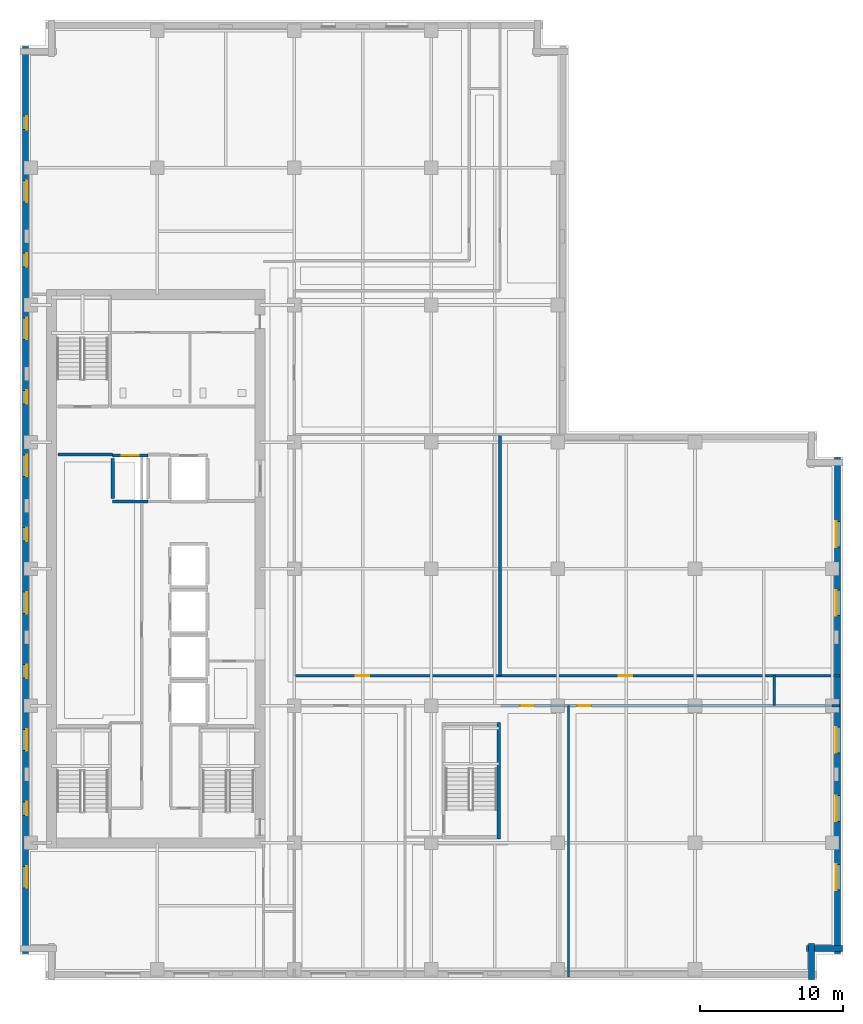
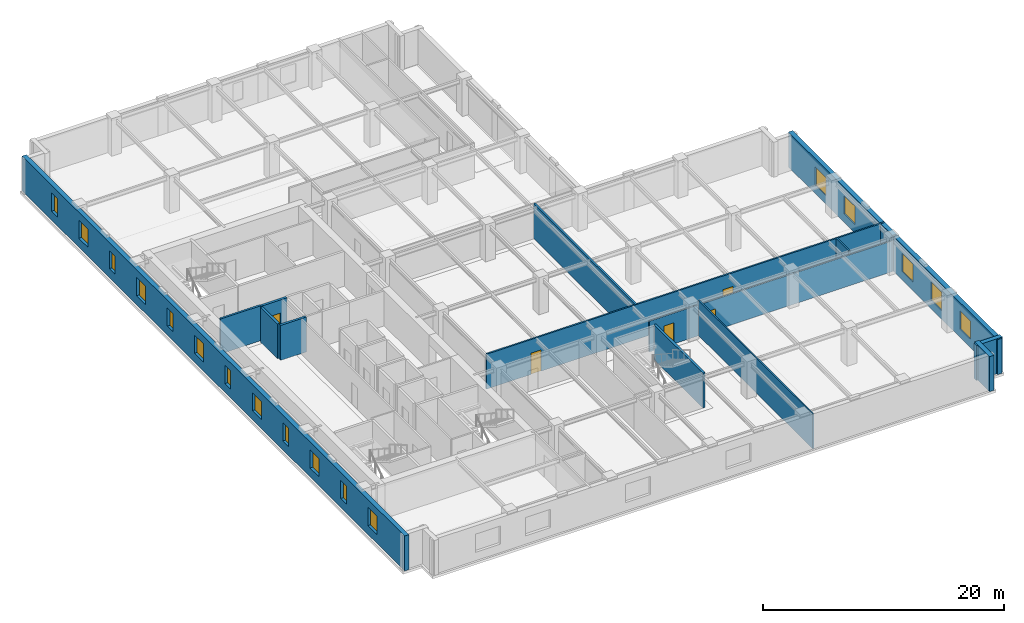
# One storey, part 6 of 13: 17 windows, 15 walls, 5 doors, 22 openings.
"""IFC4 building model written with IfcOpenShell, lengths in metres."""

from ifc_helpers import new_model, si_unit, direction, frame, frame_2d, origin, place, context, subcontext, project, spatial, rectangle, extrude, material, layer, layer_set, type_object, element, fill, save


model = new_model("IFC4")

# Units and contexts
model_context = context("Model", 3, precision=1e-05, world=origin(), true_north=direction((0.0, 1.0)))
body_context = subcontext(model_context, "Body", "Model", "MODEL_VIEW")
ifc_project = project(units=[si_unit("LENGTHUNIT", "METRE"), si_unit("AREAUNIT", "SQUARE_METRE"), si_unit("VOLUMEUNIT", "CUBIC_METRE"), si_unit("PLANEANGLEUNIT", "RADIAN"), si_unit("MASSUNIT", "GRAM", prefix="KILO")], contexts=[model_context])

# Site, building, storey
site_placement = place(None, origin())
site = spatial("IfcSite", under=ifc_project, at=site_placement, CompositionType="ELEMENT")
building_placement = place(site_placement, origin())
building = spatial("IfcBuilding", under=site, at=building_placement, Name="Norrvale University Quadrangle", CompositionType="ELEMENT")
storey_placement = place(building_placement, frame((0.0, 0.0, 159.800048828125)))
storey = spatial("IfcBuildingStorey", under=building, at=storey_placement, Name="L40", CompositionType="ELEMENT", Elevation=159.800048828125)

# Walls
ifc_material_1 = material(Name="Buff Norman Clay Brick Masonry", Category="masonry")
ifc_layer_1 = layer(ifc_material_1, 0.419921875, Name="Buff Norman Clay Brick Masonry")
ifc_layer_set_1 = layer_set([ifc_layer_1], Name="Buff Norman Clay Brick Masonry")
wall_type_1 = type_object("IfcWallType", Name="Wall Buff Brick 420", PredefinedType="SOLIDWALL", material=ifc_layer_set_1)
for number, where, z_axis, x_axis, name in (
    (1, (55.409912109375, 0.0400390625, 0.0), (0.0, 0.0, 1.0), (0.0, 1.0, 0.0), "Exterior Brick Facade Wall L40-02.1"),
    (2, (55.06005859375, 2.18994140625, 0.0), (0.0, 0.0, 1.0), (1.0, 0.0, 0.0), "Exterior Brick Facade Wall L40-03.1"),
):
    element("IfcWall", number, at=place(storey_placement, frame(where, z_axis=z_axis, x_axis=x_axis)), inside=storey, type_object=wall_type_1, Name=name, PredefinedType="SOLIDWALL", context=body_context, shape_type="SweptSolid", body=[
        extrude(rectangle(XDim=2.5, YDim=0.419921875, at=frame_2d((1.25, 0.0))), origin(), (0.0, 0.0, 1.0), 3.5400390625),
    ])

# Wall, openings, windows
wall_1_placement = place(storey_placement, frame((57.2099609375, 1.840087890625, 0.0), z_axis=(0.0, 0.0, 1.0), x_axis=(0.0, 1.0, 0.0)))
wall_1 = element("IfcWall", 3, at=wall_1_placement, inside=storey, type_object=wall_type_1, Name="Exterior Brick Facade Wall L40-04.1", PredefinedType="SOLIDWALL", context=body_context, shape_type="SweptSolid", body=[
    extrude(rectangle(XDim=34.719970703125, YDim=0.419921875, at=frame_2d((17.35986328125, 0.0))), origin(), (0.0, 0.0, 1.0), 3.5400390625),
])
opening_1_placement = place(wall_1_placement, frame((4.4599609375, 0.0, 0.85009765625)))
opening_1 = element("IfcOpeningElement", 4, at=opening_1_placement, cuts=wall_1, Name="Opening W01", PredefinedType="OPENING", context=body_context, shape_type="SweptSolid", body=[
    extrude(rectangle(XDim=1.800048828125, YDim=1.85009765625, at=frame_2d((0.89990234375, 0.925048828125))), frame((0.0, 0.221923828125, 0.0), z_axis=(0.0, -1.0, 0.0), x_axis=(1.0, 0.0, 0.0)), (0.0, 0.0, 1.0), 0.44384765625),
])
opening_2_placement = place(wall_1_placement, frame((9.260009765625, 0.0, 0.85009765625)))
opening_2 = element("IfcOpeningElement", 5, at=opening_2_placement, cuts=wall_1, Name="Opening W01", PredefinedType="OPENING", context=body_context, shape_type="SweptSolid", body=[
    extrude(rectangle(XDim=1.800048828125, YDim=1.85009765625, at=frame_2d((0.89990234375, 0.925048828125))), frame((0.0, 0.221923828125, 0.0), z_axis=(0.0, -1.0, 0.0), x_axis=(1.0, 0.0, 0.0)), (0.0, 0.0, 1.0), 0.44384765625),
])
opening_3_placement = place(wall_1_placement, frame((14.06005859375, 0.0, 0.85009765625)))
opening_3 = element("IfcOpeningElement", 6, at=opening_3_placement, cuts=wall_1, Name="Opening W01", PredefinedType="OPENING", context=body_context, shape_type="SweptSolid", body=[
    extrude(rectangle(XDim=1.800048828125, YDim=1.85009765625, at=frame_2d((0.89990234375, 0.925048828125))), frame((0.0, 0.221923828125, 0.0), z_axis=(0.0, -1.0, 0.0), x_axis=(1.0, 0.0, 0.0)), (0.0, 0.0, 1.0), 0.44384765625),
])
opening_4_placement = place(wall_1_placement, frame((23.659912109375, 0.0, 0.85009765625)))
opening_4 = element("IfcOpeningElement", 7, at=opening_4_placement, cuts=wall_1, Name="Opening W01", PredefinedType="OPENING", context=body_context, shape_type="SweptSolid", body=[
    extrude(rectangle(XDim=1.800048828125, YDim=1.85009765625, at=frame_2d((0.89990234375, 0.925048828125))), frame((0.0, 0.221923828125, 0.0), z_axis=(0.0, -1.0, 0.0), x_axis=(1.0, 0.0, 0.0)), (0.0, 0.0, 1.0), 0.44384765625),
])
opening_5_placement = place(wall_1_placement, frame((28.4599609375, 0.0, 0.85009765625)))
opening_5 = element("IfcOpeningElement", 8, at=opening_5_placement, cuts=wall_1, Name="Opening W01", PredefinedType="OPENING", context=body_context, shape_type="SweptSolid", body=[
    extrude(rectangle(XDim=1.800048828125, YDim=1.85009765625, at=frame_2d((0.89990234375, 0.925048828125))), frame((0.0, 0.221923828125, 0.0), z_axis=(0.0, -1.0, 0.0), x_axis=(1.0, 0.0, 0.0)), (0.0, 0.0, 1.0), 0.44384765625),
])
ifc_material_2 = material(Name="Triple Low-E Argon Glazing", Category="glass")
window_type_1 = type_object("IfcWindowType", Name="Window Academic 1800x2300", PartitioningType="DOUBLE_PANEL_VERTICAL", PredefinedType="WINDOW", material=ifc_material_2)
window_1_placement = place(opening_1_placement, origin())
window_1 = element("IfcWindow", 9, at=window_1_placement, inside=storey, type_object=window_type_1, Name="Window Academic 1800x2300 WIN-L40-E04-1-01", OverallHeight=1.85009765625, OverallWidth=1.800048828125, PartitioningType="DOUBLE_PANEL_VERTICAL", PredefinedType="WINDOW", context=body_context, shape_type="SweptSolid", body=[
    extrude(rectangle(XDim=1.800048828125, YDim=1.85009765625, at=frame_2d((0.89990234375, 0.925048828125))), frame((0.0, 0.110107421875, 0.0), z_axis=(0.0, -1.0, 0.0), x_axis=(1.0, 0.0, 0.0)), (0.0, 0.0, 1.0), 0.06005859375),
])
fill(opening_1, window_1)
window_2_placement = place(opening_2_placement, origin())
window_2 = element("IfcWindow", 10, at=window_2_placement, inside=storey, type_object=window_type_1, Name="Window Academic 1800x2300 WIN-L40-E04-1-02", OverallHeight=1.85009765625, OverallWidth=1.800048828125, PartitioningType="DOUBLE_PANEL_VERTICAL", PredefinedType="WINDOW", context=body_context, shape_type="SweptSolid", body=[
    extrude(rectangle(XDim=1.800048828125, YDim=1.85009765625, at=frame_2d((0.89990234375, 0.925048828125))), frame((0.0, 0.110107421875, 0.0), z_axis=(0.0, -1.0, 0.0), x_axis=(1.0, 0.0, 0.0)), (0.0, 0.0, 1.0), 0.06005859375),
])
fill(opening_2, window_2)
window_3_placement = place(opening_3_placement, origin())
window_3 = element("IfcWindow", 11, at=window_3_placement, inside=storey, type_object=window_type_1, Name="Window Academic 1800x2300 WIN-L40-E04-1-03", OverallHeight=1.85009765625, OverallWidth=1.800048828125, PartitioningType="DOUBLE_PANEL_VERTICAL", PredefinedType="WINDOW", context=body_context, shape_type="SweptSolid", body=[
    extrude(rectangle(XDim=1.800048828125, YDim=1.85009765625, at=frame_2d((0.89990234375, 0.925048828125))), frame((0.0, 0.110107421875, 0.0), z_axis=(0.0, -1.0, 0.0), x_axis=(1.0, 0.0, 0.0)), (0.0, 0.0, 1.0), 0.06005859375),
])
fill(opening_3, window_3)
window_4_placement = place(opening_4_placement, origin())
window_4 = element("IfcWindow", 12, at=window_4_placement, inside=storey, type_object=window_type_1, Name="Window Academic 1800x2300 WIN-L40-E04-1-04", OverallHeight=1.85009765625, OverallWidth=1.800048828125, PartitioningType="DOUBLE_PANEL_VERTICAL", PredefinedType="WINDOW", context=body_context, shape_type="SweptSolid", body=[
    extrude(rectangle(XDim=1.800048828125, YDim=1.85009765625, at=frame_2d((0.89990234375, 0.925048828125))), frame((0.0, 0.110107421875, 0.0), z_axis=(0.0, -1.0, 0.0), x_axis=(1.0, 0.0, 0.0)), (0.0, 0.0, 1.0), 0.06005859375),
])
fill(opening_4, window_4)
window_5_placement = place(opening_5_placement, origin())
window_5 = element("IfcWindow", 13, at=window_5_placement, inside=storey, type_object=window_type_1, Name="Window Academic 1800x2300 WIN-L40-E04-1-05", OverallHeight=1.85009765625, OverallWidth=1.800048828125, PartitioningType="DOUBLE_PANEL_VERTICAL", PredefinedType="WINDOW", context=body_context, shape_type="SweptSolid", body=[
    extrude(rectangle(XDim=1.800048828125, YDim=1.85009765625, at=frame_2d((0.89990234375, 0.925048828125))), frame((0.0, 0.110107421875, 0.0), z_axis=(0.0, -1.0, 0.0), x_axis=(1.0, 0.0, 0.0)), (0.0, 0.0, 1.0), 0.06005859375),
])
fill(opening_5, window_5)

wall_2_placement = place(storey_placement, frame((0.389892578125, 65.360107421875, 0.0), z_axis=(0.0, 0.0, 1.0), x_axis=(0.0, -1.0, 0.0)))
wall_2 = element("IfcWall", 14, at=wall_2_placement, inside=storey, type_object=wall_type_1, Name="Exterior Brick Facade Wall L40-14.1", PredefinedType="SOLIDWALL", context=body_context, shape_type="SweptSolid", body=[
    extrude(rectangle(XDim=63.52001953125, YDim=0.419921875, at=frame_2d((31.760009765625, 0.0))), origin(), (0.0, 0.0, 1.0), 3.5400390625),
])
opening_6_placement = place(wall_2_placement, frame((4.885009765625, 0.0, 0.89990234375)))
opening_6 = element("IfcOpeningElement", 15, at=opening_6_placement, cuts=wall_2, Name="Opening W04", PredefinedType="OPENING", context=body_context, shape_type="SweptSolid", body=[
    extrude(rectangle(XDim=0.949951171875, YDim=1.85009765625, at=frame_2d((0.47509765625, 0.925048828125))), frame((0.0, 0.221923828125, 0.0), z_axis=(0.0, -1.0, 0.0), x_axis=(1.0, 0.0, 0.0)), (0.0, 0.0, 1.0), 0.44384765625),
])
opening_7_placement = place(wall_2_placement, frame((9.409912109375, 0.0, 0.89990234375)))
opening_7 = element("IfcOpeningElement", 16, at=opening_7_placement, cuts=wall_2, Name="Opening W03", PredefinedType="OPENING", context=body_context, shape_type="SweptSolid", body=[
    extrude(rectangle(XDim=1.5, YDim=1.85009765625, at=frame_2d((0.75, 0.925048828125))), frame((0.0, 0.221923828125, 0.0), z_axis=(0.0, -1.0, 0.0), x_axis=(1.0, 0.0, 0.0)), (0.0, 0.0, 1.0), 0.44384765625),
])
opening_8_placement = place(wall_2_placement, frame((14.485107421875, 0.0, 0.89990234375)))
opening_8 = element("IfcOpeningElement", 17, at=opening_8_placement, cuts=wall_2, Name="Opening W04", PredefinedType="OPENING", context=body_context, shape_type="SweptSolid", body=[
    extrude(rectangle(XDim=0.949951171875, YDim=1.85009765625, at=frame_2d((0.47509765625, 0.925048828125))), frame((0.0, 0.221923828125, 0.0), z_axis=(0.0, -1.0, 0.0), x_axis=(1.0, 0.0, 0.0)), (0.0, 0.0, 1.0), 0.44384765625),
])
opening_9_placement = place(wall_2_placement, frame((19.010009765625, 0.0, 0.89990234375)))
opening_9 = element("IfcOpeningElement", 18, at=opening_9_placement, cuts=wall_2, Name="Opening W03", PredefinedType="OPENING", context=body_context, shape_type="SweptSolid", body=[
    extrude(rectangle(XDim=1.5, YDim=1.85009765625, at=frame_2d((0.75, 0.925048828125))), frame((0.0, 0.221923828125, 0.0), z_axis=(0.0, -1.0, 0.0), x_axis=(1.0, 0.0, 0.0)), (0.0, 0.0, 1.0), 0.44384765625),
])
opening_10_placement = place(wall_2_placement, frame((24.0849609375, 0.0, 0.89990234375)))
opening_10 = element("IfcOpeningElement", 19, at=opening_10_placement, cuts=wall_2, Name="Opening W04", PredefinedType="OPENING", context=body_context, shape_type="SweptSolid", body=[
    extrude(rectangle(XDim=0.949951171875, YDim=1.85009765625, at=frame_2d((0.47509765625, 0.925048828125))), frame((0.0, 0.221923828125, 0.0), z_axis=(0.0, -1.0, 0.0), x_axis=(1.0, 0.0, 0.0)), (0.0, 0.0, 1.0), 0.44384765625),
])
opening_11_placement = place(wall_2_placement, frame((28.610107421875, 0.0, 0.89990234375)))
opening_11 = element("IfcOpeningElement", 20, at=opening_11_placement, cuts=wall_2, Name="Opening W03", PredefinedType="OPENING", context=body_context, shape_type="SweptSolid", body=[
    extrude(rectangle(XDim=1.5, YDim=1.85009765625, at=frame_2d((0.75, 0.925048828125))), frame((0.0, 0.221923828125, 0.0), z_axis=(0.0, -1.0, 0.0), x_axis=(1.0, 0.0, 0.0)), (0.0, 0.0, 1.0), 0.44384765625),
])
opening_12_placement = place(wall_2_placement, frame((33.68505859375, 0.0, 0.89990234375)))
opening_12 = element("IfcOpeningElement", 21, at=opening_12_placement, cuts=wall_2, Name="Opening W04", PredefinedType="OPENING", context=body_context, shape_type="SweptSolid", body=[
    extrude(rectangle(XDim=0.949951171875, YDim=1.85009765625, at=frame_2d((0.47509765625, 0.925048828125))), frame((0.0, 0.221923828125, 0.0), z_axis=(0.0, -1.0, 0.0), x_axis=(1.0, 0.0, 0.0)), (0.0, 0.0, 1.0), 0.44384765625),
])
opening_13_placement = place(wall_2_placement, frame((38.2099609375, 0.0, 0.89990234375)))
opening_13 = element("IfcOpeningElement", 22, at=opening_13_placement, cuts=wall_2, Name="Opening W03", PredefinedType="OPENING", context=body_context, shape_type="SweptSolid", body=[
    extrude(rectangle(XDim=1.5, YDim=1.85009765625, at=frame_2d((0.75, 0.925048828125))), frame((0.0, 0.221923828125, 0.0), z_axis=(0.0, -1.0, 0.0), x_axis=(1.0, 0.0, 0.0)), (0.0, 0.0, 1.0), 0.44384765625),
])
opening_14_placement = place(wall_2_placement, frame((43.284912109375, 0.0, 0.89990234375)))
opening_14 = element("IfcOpeningElement", 23, at=opening_14_placement, cuts=wall_2, Name="Opening W04", PredefinedType="OPENING", context=body_context, shape_type="SweptSolid", body=[
    extrude(rectangle(XDim=0.949951171875, YDim=1.85009765625, at=frame_2d((0.47509765625, 0.925048828125))), frame((0.0, 0.221923828125, 0.0), z_axis=(0.0, -1.0, 0.0), x_axis=(1.0, 0.0, 0.0)), (0.0, 0.0, 1.0), 0.44384765625),
])
opening_15_placement = place(wall_2_placement, frame((47.81005859375, 0.0, 0.89990234375)))
opening_15 = element("IfcOpeningElement", 24, at=opening_15_placement, cuts=wall_2, Name="Opening W03", PredefinedType="OPENING", context=body_context, shape_type="SweptSolid", body=[
    extrude(rectangle(XDim=1.5, YDim=1.85009765625, at=frame_2d((0.75, 0.925048828125))), frame((0.0, 0.221923828125, 0.0), z_axis=(0.0, -1.0, 0.0), x_axis=(1.0, 0.0, 0.0)), (0.0, 0.0, 1.0), 0.44384765625),
])
opening_16_placement = place(wall_2_placement, frame((52.885009765625, 0.0, 0.89990234375)))
opening_16 = element("IfcOpeningElement", 25, at=opening_16_placement, cuts=wall_2, Name="Opening W04", PredefinedType="OPENING", context=body_context, shape_type="SweptSolid", body=[
    extrude(rectangle(XDim=0.949951171875, YDim=1.85009765625, at=frame_2d((0.47509765625, 0.925048828125))), frame((0.0, 0.221923828125, 0.0), z_axis=(0.0, -1.0, 0.0), x_axis=(1.0, 0.0, 0.0)), (0.0, 0.0, 1.0), 0.44384765625),
])
opening_17_placement = place(wall_2_placement, frame((57.409912109375, 0.0, 0.89990234375)))
opening_17 = element("IfcOpeningElement", 26, at=opening_17_placement, cuts=wall_2, Name="Opening W03", PredefinedType="OPENING", context=body_context, shape_type="SweptSolid", body=[
    extrude(rectangle(XDim=1.5, YDim=1.85009765625, at=frame_2d((0.75, 0.925048828125))), frame((0.0, 0.221923828125, 0.0), z_axis=(0.0, -1.0, 0.0), x_axis=(1.0, 0.0, 0.0)), (0.0, 0.0, 1.0), 0.44384765625),
])
window_type_2 = type_object("IfcWindowType", Name="Window Narrow Pier 950x2300", PartitioningType="SINGLE_PANEL", PredefinedType="WINDOW", material=ifc_material_2)
window_6_placement = place(opening_6_placement, origin())
window_6 = element("IfcWindow", 27, at=window_6_placement, inside=storey, type_object=window_type_2, Name="Window Narrow Pier 950x2300 WIN-L40-E14-1-01", OverallHeight=1.85009765625, OverallWidth=0.949951171875, PartitioningType="SINGLE_PANEL", PredefinedType="WINDOW", context=body_context, shape_type="SweptSolid", body=[
    extrude(rectangle(XDim=0.949951171875, YDim=1.85009765625, at=frame_2d((0.47509765625, 0.925048828125))), frame((0.0, 0.110107421875, 0.0), z_axis=(0.0, -1.0, 0.0), x_axis=(1.0, 0.0, 0.0)), (0.0, 0.0, 1.0), 0.06005859375),
])
fill(opening_6, window_6)
window_7_placement = place(opening_8_placement, origin())
window_7 = element("IfcWindow", 28, at=window_7_placement, inside=storey, type_object=window_type_2, Name="Window Narrow Pier 950x2300 WIN-L40-E14-1-03", OverallHeight=1.85009765625, OverallWidth=0.949951171875, PartitioningType="SINGLE_PANEL", PredefinedType="WINDOW", context=body_context, shape_type="SweptSolid", body=[
    extrude(rectangle(XDim=0.949951171875, YDim=1.85009765625, at=frame_2d((0.47509765625, 0.925048828125))), frame((0.0, 0.110107421875, 0.0), z_axis=(0.0, -1.0, 0.0), x_axis=(1.0, 0.0, 0.0)), (0.0, 0.0, 1.0), 0.06005859375),
])
fill(opening_8, window_7)
window_8_placement = place(opening_10_placement, origin())
window_8 = element("IfcWindow", 29, at=window_8_placement, inside=storey, type_object=window_type_2, Name="Window Narrow Pier 950x2300 WIN-L40-E14-1-05", OverallHeight=1.85009765625, OverallWidth=0.949951171875, PartitioningType="SINGLE_PANEL", PredefinedType="WINDOW", context=body_context, shape_type="SweptSolid", body=[
    extrude(rectangle(XDim=0.949951171875, YDim=1.85009765625, at=frame_2d((0.47509765625, 0.925048828125))), frame((0.0, 0.110107421875, 0.0), z_axis=(0.0, -1.0, 0.0), x_axis=(1.0, 0.0, 0.0)), (0.0, 0.0, 1.0), 0.06005859375),
])
fill(opening_10, window_8)
window_9_placement = place(opening_12_placement, origin())
window_9 = element("IfcWindow", 30, at=window_9_placement, inside=storey, type_object=window_type_2, Name="Window Narrow Pier 950x2300 WIN-L40-E14-1-07", OverallHeight=1.85009765625, OverallWidth=0.949951171875, PartitioningType="SINGLE_PANEL", PredefinedType="WINDOW", context=body_context, shape_type="SweptSolid", body=[
    extrude(rectangle(XDim=0.949951171875, YDim=1.85009765625, at=frame_2d((0.47509765625, 0.925048828125))), frame((0.0, 0.110107421875, 0.0), z_axis=(0.0, -1.0, 0.0), x_axis=(1.0, 0.0, 0.0)), (0.0, 0.0, 1.0), 0.06005859375),
])
fill(opening_12, window_9)
window_10_placement = place(opening_14_placement, origin())
window_10 = element("IfcWindow", 31, at=window_10_placement, inside=storey, type_object=window_type_2, Name="Window Narrow Pier 950x2300 WIN-L40-E14-1-09", OverallHeight=1.85009765625, OverallWidth=0.949951171875, PartitioningType="SINGLE_PANEL", PredefinedType="WINDOW", context=body_context, shape_type="SweptSolid", body=[
    extrude(rectangle(XDim=0.949951171875, YDim=1.85009765625, at=frame_2d((0.47509765625, 0.925048828125))), frame((0.0, 0.110107421875, 0.0), z_axis=(0.0, -1.0, 0.0), x_axis=(1.0, 0.0, 0.0)), (0.0, 0.0, 1.0), 0.06005859375),
])
fill(opening_14, window_10)
window_11_placement = place(opening_16_placement, origin())
window_11 = element("IfcWindow", 32, at=window_11_placement, inside=storey, type_object=window_type_2, Name="Window Narrow Pier 950x2300 WIN-L40-E14-1-11", OverallHeight=1.85009765625, OverallWidth=0.949951171875, PartitioningType="SINGLE_PANEL", PredefinedType="WINDOW", context=body_context, shape_type="SweptSolid", body=[
    extrude(rectangle(XDim=0.949951171875, YDim=1.85009765625, at=frame_2d((0.47509765625, 0.925048828125))), frame((0.0, 0.110107421875, 0.0), z_axis=(0.0, -1.0, 0.0), x_axis=(1.0, 0.0, 0.0)), (0.0, 0.0, 1.0), 0.06005859375),
])
fill(opening_16, window_11)
window_type_3 = type_object("IfcWindowType", Name="Window Studio 1500x2300", PartitioningType="DOUBLE_PANEL_VERTICAL", PredefinedType="WINDOW", material=ifc_material_2)
window_12_placement = place(opening_7_placement, origin())
window_12 = element("IfcWindow", 33, at=window_12_placement, inside=storey, type_object=window_type_3, Name="Window Studio 1500x2300 WIN-L40-E14-1-02", OverallHeight=1.85009765625, OverallWidth=1.5, PartitioningType="DOUBLE_PANEL_VERTICAL", PredefinedType="WINDOW", context=body_context, shape_type="SweptSolid", body=[
    extrude(rectangle(XDim=1.5, YDim=1.85009765625, at=frame_2d((0.75, 0.925048828125))), frame((0.0, 0.110107421875, 0.0), z_axis=(0.0, -1.0, 0.0), x_axis=(1.0, 0.0, 0.0)), (0.0, 0.0, 1.0), 0.06005859375),
])
fill(opening_7, window_12)
window_13_placement = place(opening_9_placement, origin())
window_13 = element("IfcWindow", 34, at=window_13_placement, inside=storey, type_object=window_type_3, Name="Window Studio 1500x2300 WIN-L40-E14-1-04", OverallHeight=1.85009765625, OverallWidth=1.5, PartitioningType="DOUBLE_PANEL_VERTICAL", PredefinedType="WINDOW", context=body_context, shape_type="SweptSolid", body=[
    extrude(rectangle(XDim=1.5, YDim=1.85009765625, at=frame_2d((0.75, 0.925048828125))), frame((0.0, 0.110107421875, 0.0), z_axis=(0.0, -1.0, 0.0), x_axis=(1.0, 0.0, 0.0)), (0.0, 0.0, 1.0), 0.06005859375),
])
fill(opening_9, window_13)
window_14_placement = place(opening_11_placement, origin())
window_14 = element("IfcWindow", 35, at=window_14_placement, inside=storey, type_object=window_type_3, Name="Window Studio 1500x2300 WIN-L40-E14-1-06", OverallHeight=1.85009765625, OverallWidth=1.5, PartitioningType="DOUBLE_PANEL_VERTICAL", PredefinedType="WINDOW", context=body_context, shape_type="SweptSolid", body=[
    extrude(rectangle(XDim=1.5, YDim=1.85009765625, at=frame_2d((0.75, 0.925048828125))), frame((0.0, 0.110107421875, 0.0), z_axis=(0.0, -1.0, 0.0), x_axis=(1.0, 0.0, 0.0)), (0.0, 0.0, 1.0), 0.06005859375),
])
fill(opening_11, window_14)
window_15_placement = place(opening_13_placement, origin())
window_15 = element("IfcWindow", 36, at=window_15_placement, inside=storey, type_object=window_type_3, Name="Window Studio 1500x2300 WIN-L40-E14-1-08", OverallHeight=1.85009765625, OverallWidth=1.5, PartitioningType="DOUBLE_PANEL_VERTICAL", PredefinedType="WINDOW", context=body_context, shape_type="SweptSolid", body=[
    extrude(rectangle(XDim=1.5, YDim=1.85009765625, at=frame_2d((0.75, 0.925048828125))), frame((0.0, 0.110107421875, 0.0), z_axis=(0.0, -1.0, 0.0), x_axis=(1.0, 0.0, 0.0)), (0.0, 0.0, 1.0), 0.06005859375),
])
fill(opening_13, window_15)
window_16_placement = place(opening_15_placement, origin())
window_16 = element("IfcWindow", 37, at=window_16_placement, inside=storey, type_object=window_type_3, Name="Window Studio 1500x2300 WIN-L40-E14-1-10", OverallHeight=1.85009765625, OverallWidth=1.5, PartitioningType="DOUBLE_PANEL_VERTICAL", PredefinedType="WINDOW", context=body_context, shape_type="SweptSolid", body=[
    extrude(rectangle(XDim=1.5, YDim=1.85009765625, at=frame_2d((0.75, 0.925048828125))), frame((0.0, 0.110107421875, 0.0), z_axis=(0.0, -1.0, 0.0), x_axis=(1.0, 0.0, 0.0)), (0.0, 0.0, 1.0), 0.06005859375),
])
fill(opening_15, window_16)
window_17_placement = place(opening_17_placement, origin())
window_17 = element("IfcWindow", 38, at=window_17_placement, inside=storey, type_object=window_type_3, Name="Window Studio 1500x2300 WIN-L40-E14-1-12", OverallHeight=1.85009765625, OverallWidth=1.5, PartitioningType="DOUBLE_PANEL_VERTICAL", PredefinedType="WINDOW", context=body_context, shape_type="SweptSolid", body=[
    extrude(rectangle(XDim=1.5, YDim=1.85009765625, at=frame_2d((0.75, 0.925048828125))), frame((0.0, 0.110107421875, 0.0), z_axis=(0.0, -1.0, 0.0), x_axis=(1.0, 0.0, 0.0)), (0.0, 0.0, 1.0), 0.06005859375),
])
fill(opening_17, window_17)

# Walls
ifc_material_3 = material(Name="Standard Academic Gypsum Partition")
ifc_layer_2 = layer(ifc_material_3, 0.125, Name="Standard Academic Gypsum Partition")
ifc_layer_set_2 = layer_set([ifc_layer_2], Name="Standard Academic Gypsum Partition")
wall_type_2 = type_object("IfcWallType", Name="Wall Gypsum Academic 125", PredefinedType="PARTITIONING", material=ifc_layer_set_2)
wall_3_placement = place(storey_placement, frame((38.39990234375, 0.219970703125, 0.0), z_axis=(0.0, 0.0, 1.0), x_axis=(0.0, 1.0, 0.0)))
element("IfcWall", 39, at=wall_3_placement, inside=storey, type_object=wall_type_2, Name="Interior Partition WL-L40-SEP2", PredefinedType="PARTITIONING", context=body_context, shape_type="SweptSolid", body=[
    extrude(rectangle(XDim=18.97998046875, YDim=0.125, at=frame_2d((9.489990234375, 0.0))), origin(), (0.0, 0.0, 1.0), 3.5400390625),
])
ifc_material_4 = material(Name="Fire-Rated Gypsum Stud Partition")
ifc_layer_3 = layer(ifc_material_4, 0.14990234375, Name="Fire-Rated Gypsum Stud Partition")
ifc_layer_set_3 = layer_set([ifc_layer_3], Name="Fire-Rated Gypsum Stud Partition")
wall_type_3 = type_object("IfcWallType", Name="Wall Gypsum Corridor 150", PredefinedType="PARTITIONING", material=ifc_layer_set_3)
wall_4_placement = place(storey_placement, frame((52.800048828125, 19.199951171875, 0.0), z_axis=(0.0, 0.0, 1.0), x_axis=(0.0, 1.0, 0.0)))
element("IfcWall", 40, at=wall_4_placement, inside=storey, type_object=wall_type_3, Name="Interior Partition WL-L40-CESP-E", PredefinedType="PARTITIONING", context=body_context, shape_type="SweptSolid", body=[
    extrude(rectangle(XDim=2.10009765625, YDim=0.14990234375, at=frame_2d((1.050048828125, 0.0))), origin(), (0.0, 0.0, 1.0), 3.5400390625),
])

# Wall, openings, doors
wall_5_placement = place(storey_placement, frame((33.6201171875, 19.199951171875, 0.0), z_axis=(0.0, 0.0, 1.0), x_axis=(1.0, 0.0, 0.0)))
wall_5 = element("IfcWall", 41, at=wall_5_placement, inside=storey, type_object=wall_type_3, Name="Interior Partition WL-L40-SEW2", PredefinedType="PARTITIONING", context=body_context, shape_type="SweptSolid", body=[
    extrude(rectangle(XDim=23.22998046875, YDim=0.14990234375, at=frame_2d((11.614990234375, 0.0))), origin(), (0.0, 0.0, 1.0), 3.123046875),
])
opening_18_placement = place(wall_5_placement, frame((1.39990234375, 0.0, 0.0)))
opening_18 = element("IfcOpeningElement", 42, at=opening_18_placement, cuts=wall_5, Name="Opening D07", PredefinedType="OPENING", context=body_context, shape_type="SweptSolid", body=[
    extrude(rectangle(XDim=0.949951171875, YDim=2.14990234375, at=frame_2d((0.47509765625, 1.074951171875))), frame((0.0, 0.0869140625, 0.0), z_axis=(0.0, -1.0, 0.0), x_axis=(1.0, 0.0, 0.0)), (0.0, 0.0, 1.0), 0.173828125),
])
opening_19_placement = place(wall_5_placement, frame((5.39990234375, 0.0, 0.0)))
opening_19 = element("IfcOpeningElement", 43, at=opening_19_placement, cuts=wall_5, Name="Opening D07", PredefinedType="OPENING", context=body_context, shape_type="SweptSolid", body=[
    extrude(rectangle(XDim=0.949951171875, YDim=2.14990234375, at=frame_2d((0.47509765625, 1.074951171875))), frame((0.0, 0.0869140625, 0.0), z_axis=(0.0, -1.0, 0.0), x_axis=(1.0, 0.0, 0.0)), (0.0, 0.0, 1.0), 0.173828125),
])
ifc_material_5 = material(Name="Solid-Core Maple Door", Category="wood")
door_type_1 = type_object("IfcDoorType", Name="Door Office 950x2150", OperationType="NOTDEFINED", PredefinedType="DOOR", material=ifc_material_5)
door_1_placement = place(opening_18_placement, origin())
door_1 = element("IfcDoor", 44, at=door_1_placement, inside=storey, type_object=door_type_1, Name="Door Office 950x2150 DR-L40-SE2", OperationType="SINGLE_SWING_RIGHT", OverallHeight=2.14990234375, OverallWidth=0.949951171875, PredefinedType="DOOR", context=body_context, shape_type="SweptSolid", body=[
    extrude(rectangle(XDim=0.949951171875, YDim=2.14990234375, at=frame_2d((0.47509765625, 1.074951171875))), frame((0.0, 0.02490234375, 0.0), z_axis=(0.0, -1.0, 0.0), x_axis=(1.0, 0.0, 0.0)), (0.0, 0.0, 1.0), 0.050048828125),
])
fill(opening_18, door_1)
door_2_placement = place(opening_19_placement, origin())
door_2 = element("IfcDoor", 45, at=door_2_placement, inside=storey, type_object=door_type_1, Name="Door Office 950x2150 DR-L40-SE3", OperationType="SINGLE_SWING_LEFT", OverallHeight=2.14990234375, OverallWidth=0.949951171875, PredefinedType="DOOR", context=body_context, shape_type="SweptSolid", body=[
    extrude(rectangle(XDim=0.949951171875, YDim=2.14990234375, at=frame_2d((0.47509765625, 1.074951171875))), frame((0.0, 0.02490234375, 0.0), z_axis=(0.0, -1.0, 0.0), x_axis=(1.0, 0.0, 0.0)), (0.0, 0.0, 1.0), 0.050048828125),
])
fill(opening_19, door_2)

# Wall
wall_6_placement = place(storey_placement, frame((56.85009765625, 19.199951171875, 0.0), z_axis=(0.0, 0.0, 1.0), x_axis=(1.0, 0.0, 0.0)))
element("IfcWall", 46, at=wall_6_placement, inside=storey, type_object=wall_type_3, Name="Interior Partition WL-L40-SEW2-B2", PredefinedType="PARTITIONING", context=body_context, shape_type="SweptSolid", body=[
    extrude(rectangle(XDim=0.52978515625, YDim=0.14990234375, at=frame_2d((0.264892578125, 0.0))), origin(), (0.0, 0.0, 1.0), 3.5400390625),
])

# Wall, openings, doors
wall_7_placement = place(storey_placement, frame((19.199951171875, 21.300048828125, 0.0), z_axis=(0.0, 0.0, 1.0), x_axis=(1.0, 0.0, 0.0)))
wall_7 = element("IfcWall", 47, at=wall_7_placement, inside=storey, type_object=wall_type_3, Name="Interior Partition WL-L40-MECW", PredefinedType="PARTITIONING", context=body_context, shape_type="SweptSolid", body=[
    extrude(rectangle(XDim=38.179931640625, YDim=0.14990234375, at=frame_2d((19.08984375, 0.0))), origin(), (0.0, 0.0, 1.0), 3.5400390625),
])
opening_20_placement = place(wall_7_placement, frame((4.300048828125, 0.0, 0.0)))
opening_20 = element("IfcOpeningElement", 48, at=opening_20_placement, cuts=wall_7, Name="Opening D07", PredefinedType="OPENING", context=body_context, shape_type="SweptSolid", body=[
    extrude(rectangle(XDim=0.949951171875, YDim=2.14990234375, at=frame_2d((0.47509765625, 1.074951171875))), frame((0.0, 0.0869140625, 0.0), z_axis=(0.0, -1.0, 0.0), x_axis=(1.0, 0.0, 0.0)), (0.0, 0.0, 1.0), 0.173828125),
])
opening_21_placement = place(wall_7_placement, frame((22.699951171875, 0.0, 0.0)))
opening_21 = element("IfcOpeningElement", 49, at=opening_21_placement, cuts=wall_7, Name="Opening D07", PredefinedType="OPENING", context=body_context, shape_type="SweptSolid", body=[
    extrude(rectangle(XDim=0.949951171875, YDim=2.14990234375, at=frame_2d((0.47509765625, 1.074951171875))), frame((0.0, 0.0869140625, 0.0), z_axis=(0.0, -1.0, 0.0), x_axis=(1.0, 0.0, 0.0)), (0.0, 0.0, 1.0), 0.173828125),
])
door_3_placement = place(opening_20_placement, origin())
door_3 = element("IfcDoor", 50, at=door_3_placement, inside=storey, type_object=door_type_1, Name="Door Office 950x2150 DR-L40-ME01", OperationType="SINGLE_SWING_LEFT", OverallHeight=2.14990234375, OverallWidth=0.949951171875, PredefinedType="DOOR", context=body_context, shape_type="SweptSolid", body=[
    extrude(rectangle(XDim=0.949951171875, YDim=2.14990234375, at=frame_2d((0.47509765625, 1.074951171875))), frame((0.0, 0.02490234375, 0.0), z_axis=(0.0, -1.0, 0.0), x_axis=(1.0, 0.0, 0.0)), (0.0, 0.0, 1.0), 0.050048828125),
])
fill(opening_20, door_3)
door_4_placement = place(opening_21_placement, origin())
door_4 = element("IfcDoor", 51, at=door_4_placement, inside=storey, type_object=door_type_1, Name="Door Office 950x2150 DR-L40-ME02", OperationType="SINGLE_SWING_RIGHT", OverallHeight=2.14990234375, OverallWidth=0.949951171875, PredefinedType="DOOR", context=body_context, shape_type="SweptSolid", body=[
    extrude(rectangle(XDim=0.949951171875, YDim=2.14990234375, at=frame_2d((0.47509765625, 1.074951171875))), frame((0.0, 0.02490234375, 0.0), z_axis=(0.0, -1.0, 0.0), x_axis=(1.0, 0.0, 0.0)), (0.0, 0.0, 1.0), 0.050048828125),
])
fill(opening_21, door_4)

# Walls
ifc_material_6 = material(Name="Acoustic Double-Stud Gypsum Partition")
ifc_layer_4 = layer(ifc_material_6, 0.179931640625, Name="Acoustic Double-Stud Gypsum Partition")
ifc_layer_set_4 = layer_set([ifc_layer_4], Name="Acoustic Double-Stud Gypsum Partition")
wall_type_4 = type_object("IfcWallType", Name="Wall Gypsum Lecture 180", PredefinedType="PARTITIONING", material=ifc_layer_set_4)
wall_8_placement = place(storey_placement, frame((33.60009765625, 21.300048828125, 0.0), z_axis=(0.0, 0.0, 1.0), x_axis=(0.0, 1.0, 0.0)))
element("IfcWall", 52, at=wall_8_placement, inside=storey, type_object=wall_type_4, Name="Interior Partition WL-L40-MEP01", PredefinedType="PARTITIONING", context=body_context, shape_type="SweptSolid", body=[
    extrude(rectangle(XDim=16.8798828125, YDim=0.179931640625, at=frame_2d((8.43994140625, 0.0))), origin(), (0.0, 0.0, 1.0), 3.5400390625),
])
ifc_material_7 = material(Name="Concrete Blockwork 20 MPa Rated Wall", Category="masonry")
ifc_layer_5 = layer(ifc_material_7, 0.199951171875, Name="Concrete Blockwork 20 MPa Rated Wall")
ifc_layer_set_5 = layer_set([ifc_layer_5], Name="Concrete Blockwork 20 MPa Rated Wall")
wall_type_5 = type_object("IfcWallType", Name="Wall Lobby 200", PredefinedType="SOLIDWALL", material=ifc_layer_set_5)
wall_9_placement = place(storey_placement, frame((2.64990234375, 36.780029296875, 0.0), z_axis=(0.0, 0.0, 1.0), x_axis=(1.0, 0.0, 0.0)))
element("IfcWall", 53, at=wall_9_placement, inside=storey, type_object=wall_type_5, Name="Interior Partition WL-L40-FF1", PredefinedType="SOLIDWALL", context=body_context, shape_type="SweptSolid", body=[
    extrude(rectangle(XDim=3.830078125, YDim=0.199951171875, at=frame_2d((1.9150390625, 0.0))), origin(), (0.0, 0.0, 1.0), 3.5400390625),
])
ifc_material_8 = material(Name="Concrete Blockwork 20 MPa Fire Shaft", Category="masonry")
ifc_layer_6 = layer(ifc_material_8, 0.219970703125, Name="Concrete Blockwork 20 MPa Fire Shaft")
ifc_layer_set_6 = layer_set([ifc_layer_6], Name="Concrete Blockwork 20 MPa Fire Shaft")
wall_type_6 = type_object("IfcWallType", Name="Wall Shaft 220", PredefinedType="SOLIDWALL", material=ifc_layer_set_6)
wall_10_placement = place(storey_placement, frame((33.510009765625, 9.8798828125, 0.0), z_axis=(0.0, 0.0, 1.0), x_axis=(0.0, 1.0, 0.0)))
element("IfcWall", 54, at=wall_10_placement, inside=storey, type_object=wall_type_6, Name="Stair ST-04 East Shaft Wall L40", PredefinedType="SOLIDWALL", context=body_context, shape_type="SweptSolid", body=[
    extrude(rectangle(XDim=8.14013671875, YDim=0.219970703125, at=frame_2d((4.070068359375, 0.0))), origin(), (0.0, 0.0, 1.0), 3.5400390625),
])
wall_11_placement = place(storey_placement, frame((6.489990234375, 33.7099609375, 0.0), z_axis=(0.0, 0.0, 1.0), x_axis=(0.0, 1.0, 0.0)))
element("IfcWall", 55, at=wall_11_placement, inside=storey, type_object=wall_type_6, Name="Hoistway FFL-01 West Wall L40", PredefinedType="SOLIDWALL", context=body_context, shape_type="SweptSolid", body=[
    extrude(rectangle(XDim=2.780029296875, YDim=0.219970703125, at=frame_2d((1.39013671875, 0.0))), origin(), (0.0, 0.0, 1.0), 3.5400390625),
])
wall_12_placement = place(storey_placement, frame((6.489990234375, 33.489990234375, 0.0), z_axis=(0.0, 0.0, 1.0), x_axis=(1.0, 0.0, 0.0)))
element("IfcWall", 56, at=wall_12_placement, inside=storey, type_object=wall_type_6, Name="Hoistway FFL-01 South Wall L40", PredefinedType="SOLIDWALL", context=body_context, shape_type="SweptSolid", body=[
    extrude(rectangle(XDim=2.469970703125, YDim=0.219970703125, at=frame_2d((1.23486328125, 0.0))), origin(), (0.0, 0.0, 1.0), 3.5400390625),
])

# Wall, opening, door
wall_13_placement = place(storey_placement, frame((6.489990234375, 36.7099609375, 0.0), z_axis=(0.0, 0.0, 1.0), x_axis=(1.0, 0.0, 0.0)))
wall_13 = element("IfcWall", 57, at=wall_13_placement, inside=storey, type_object=wall_type_6, Name="Hoistway FFL-01 North Wall L40", PredefinedType="SOLIDWALL", context=body_context, shape_type="SweptSolid", body=[
    extrude(rectangle(XDim=2.469970703125, YDim=0.219970703125, at=frame_2d((1.23486328125, 0.0))), origin(), (0.0, 0.0, 1.0), 3.5400390625),
])
opening_22_placement = place(wall_13_placement, frame((0.635009765625, 0.0, 0.0)))
opening_22 = element("IfcOpeningElement", 58, at=opening_22_placement, cuts=wall_13, Name="Opening LD2", PredefinedType="OPENING", context=body_context, shape_type="SweptSolid", body=[
    extrude(rectangle(XDim=1.199951171875, YDim=2.199951171875, at=frame_2d((0.60009765625, 1.10009765625))), frame((0.0, 0.1220703125, 0.0), z_axis=(0.0, -1.0, 0.0), x_axis=(1.0, 0.0, 0.0)), (0.0, 0.0, 1.0), 0.243896484375),
])
ifc_material_9 = material(Name="Stainless Steel 316L Firefighter Lift Door", Category="steel")
door_type_2 = type_object("IfcDoorType", Name="Door Fire Lift 1200x2200", OperationType="DOUBLE_DOOR_SLIDING", PredefinedType="DOOR", material=ifc_material_9)
door_5_placement = place(opening_22_placement, origin())
door_5 = element("IfcDoor", 59, at=door_5_placement, inside=storey, type_object=door_type_2, Name="Elevator Landing Door DR-L40-FFL-01", OperationType="DOUBLE_DOOR_SLIDING", OverallHeight=2.199951171875, OverallWidth=1.199951171875, PredefinedType="DOOR", context=body_context, shape_type="SweptSolid", body=[
    extrude(rectangle(XDim=1.199951171875, YDim=2.199951171875, at=frame_2d((0.60009765625, 1.10009765625))), frame((0.0, 0.02490234375, 0.0), z_axis=(0.0, -1.0, 0.0), x_axis=(1.0, 0.0, 0.0)), (0.0, 0.0, 1.0), 0.050048828125),
])
fill(opening_22, door_5)

save(model, "model.ifc")
